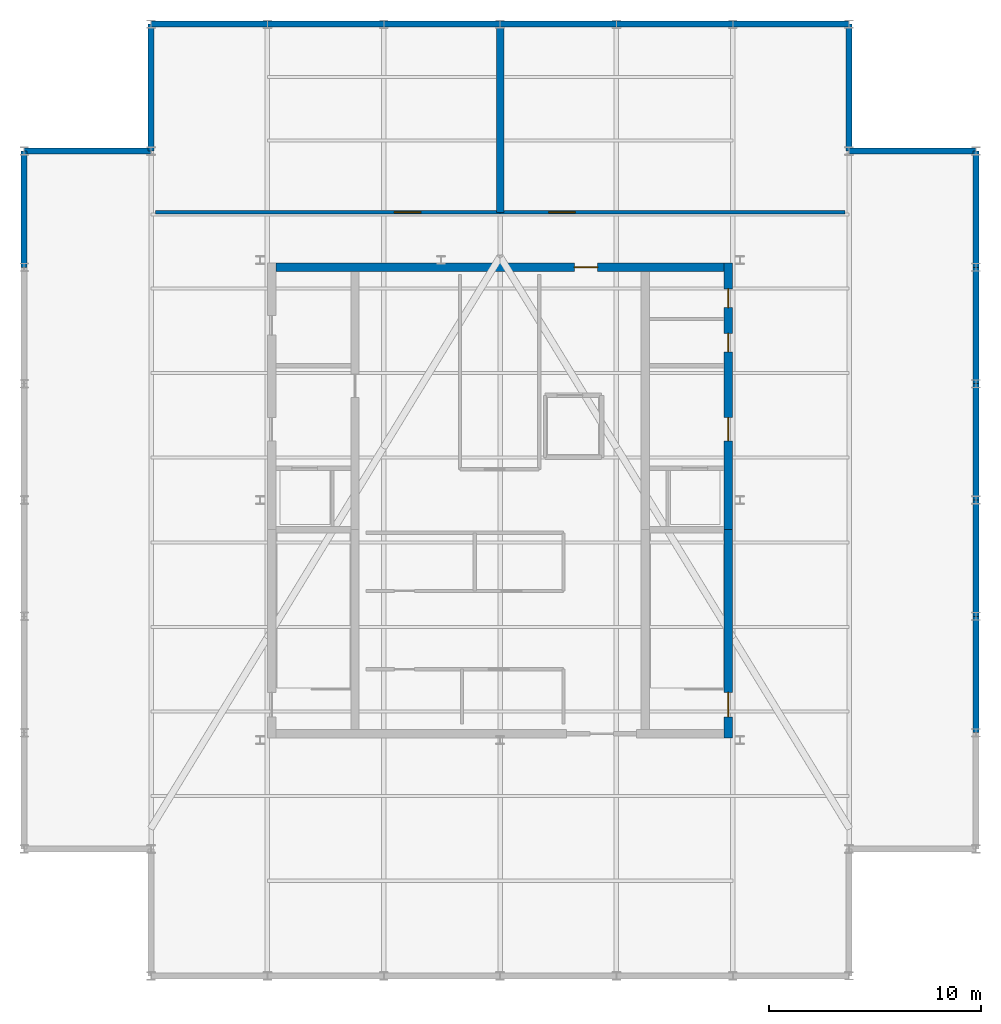
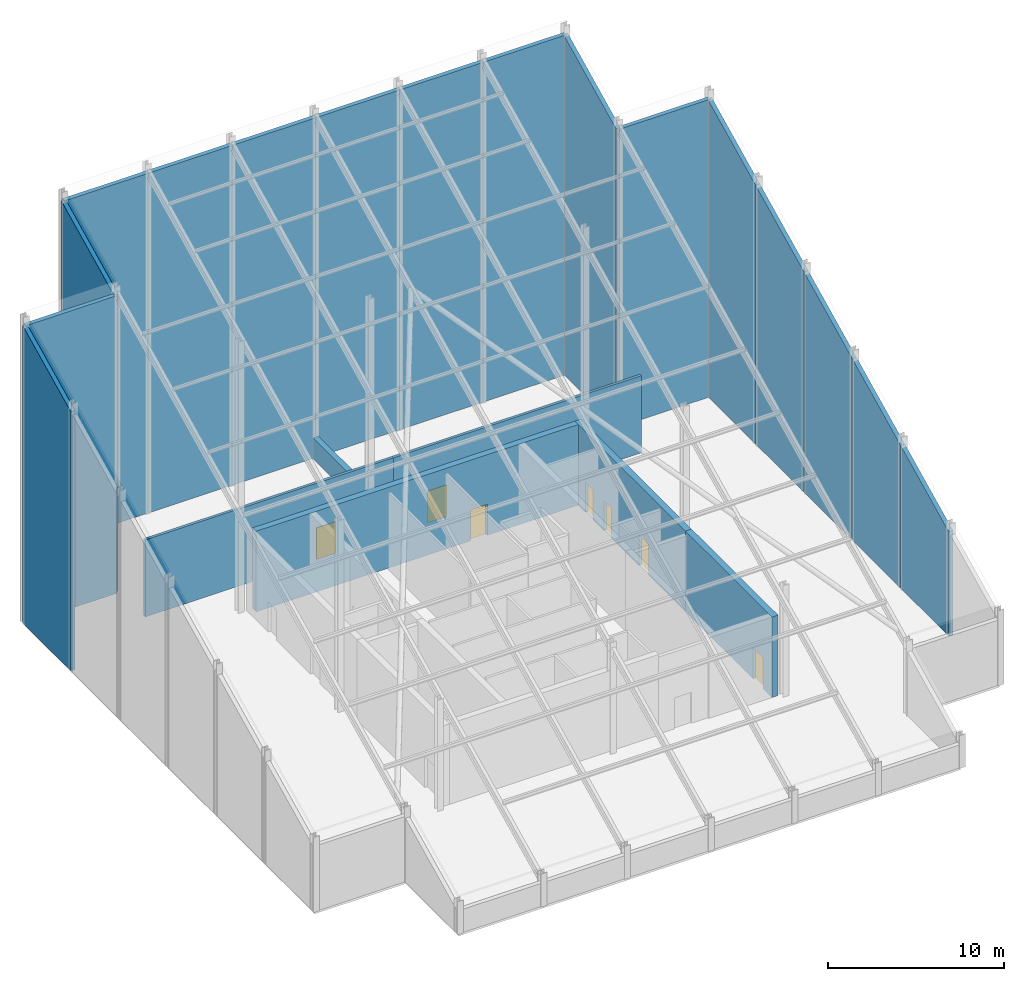
# One storey, part 3 of 4: 22 walls, 7 doors, 7 openings.
"""IFC4 building model written with IfcOpenShell, lengths in metres."""

from ifc_helpers import new_model, si_unit, direction, frame, frame_2d, origin, place, context, subcontext, project, spatial, polyline, rectangle, outline, extrude, material, layer, layer_set, type_object, element, fill, save


model = new_model("IFC4")

# Units and contexts
model_context = context("Model", 3, precision=1e-05, world=origin(), true_north=direction((0.0, 1.0)))
body_context = subcontext(model_context, "Body", "Model", "MODEL_VIEW")
ifc_project = project(units=[si_unit("LENGTHUNIT", "METRE"), si_unit("AREAUNIT", "SQUARE_METRE"), si_unit("VOLUMEUNIT", "CUBIC_METRE"), si_unit("PLANEANGLEUNIT", "RADIAN"), si_unit("MASSUNIT", "GRAM", prefix="KILO")], contexts=[model_context])

# Site, building, storey
site_placement = place(None, origin())
site = spatial("IfcSite", under=ifc_project, at=site_placement, CompositionType="ELEMENT")
building_placement = place(site_placement, origin())
building = spatial("IfcBuilding", under=site, at=building_placement, Name="Nhamokura Convention Tower", CompositionType="ELEMENT")
storey_placement = place(building_placement, frame((0.0, 0.0, 331.449951171875)))
storey = spatial("IfcBuildingStorey", under=building, at=storey_placement, Name="L81", CompositionType="ELEMENT", Elevation=331.449951171875)

# Walls
ifc_material_1 = material(Name="Bronze-pigmented precast concrete C45/55", Category="concrete")
ifc_layer_1 = layer(ifc_material_1, 0.280029296875)
ifc_layer_set_1 = layer_set([ifc_layer_1], Name="BronzePrecastSpandrel_280")
wall_type_1 = type_object("IfcWallType", Name="BronzePrecastSpandrel_280", PredefinedType="USERDEFINED", material=ifc_layer_set_1)
for number, where, z_axis, x_axis, name in (
    (1, (15.5, 54.5, 0.0), (0.0, 0.0, 1.0), (1.0, 0.0, 0.0), "L81 Crown Wall NORTH 0"),
    (2, (21.0, 54.5, 0.0), (0.0, 0.0, 1.0), (1.0, 0.0, 0.0), "L81 Crown Wall NORTH 1"),
    (3, (26.5, 54.5, 0.0), (0.0, 0.0, 1.0), (1.0, 0.0, 0.0), "L81 Crown Wall NORTH 2"),
    (4, (32.0, 54.5, 0.0), (0.0, 0.0, 1.0), (1.0, 0.0, 0.0), "L81 Crown Wall NORTH 3"),
    (5, (37.5, 54.5, 0.0), (0.0, 0.0, 1.0), (1.0, 0.0, 0.0), "L81 Crown Wall NORTH 4"),
    (6, (43.0, 54.5, 0.0), (0.0, 0.0, 1.0), (1.0, 0.0, 0.0), "L81 Crown Wall NORTH 5"),
):
    element("IfcWall", number, at=place(storey_placement, frame(where, z_axis=z_axis, x_axis=x_axis)), inside=storey, type_object=wall_type_1, Name=name, ObjectType="SPANDREL_WALL", PredefinedType="USERDEFINED", context=body_context, shape_type="SweptSolid", body=[
        extrude(rectangle(XDim=5.5, YDim=0.280029296875, at=frame_2d((2.75, 0.0))), origin(), (0.0, 0.0, 1.0), 23.610107421875),
    ])
wall_1_placement = place(storey_placement, frame((9.5, 43.0, 0.0), z_axis=(0.0, 0.0, 1.0), x_axis=(0.0, 1.0, 0.0)))
element("IfcWall", 7, at=wall_1_placement, inside=storey, type_object=wall_type_1, Name="L81 Slanted Crown Wall WEST 5", ObjectType="SPANDREL_WALL", PredefinedType="USERDEFINED", context=body_context, shape_type="SweptSolid", body=[
    extrude(outline(polyline([(0.0, 0.0), (5.5, 0.0), (5.5, 20.6767578125), (0.0, 17.98779296875), (0.0, 0.0)])), frame((0.0, 0.14013671875, 0.0), z_axis=(0.0, -1.0, 0.0), x_axis=(1.0, 0.0, 0.0)), (0.0, 0.0, 1.0), 0.280029296875),
])
wall_2_placement = place(storey_placement, frame((54.5, 26.5, 0.0), z_axis=(0.0, 0.0, 1.0), x_axis=(0.0, -1.0, 0.0)))
element("IfcWall", 8, at=wall_2_placement, inside=storey, type_object=wall_type_1, Name="L81 Slanted Crown Wall EAST 1", ObjectType="SPANDREL_WALL", PredefinedType="USERDEFINED", context=body_context, shape_type="SweptSolid", body=[
    extrude(outline(polyline([(0.0, 0.0), (5.5, 0.0), (5.5, 7.232177734375), (0.0, 9.921142578125), (0.0, 0.0)])), frame((0.0, 0.14013671875, 0.0), z_axis=(0.0, -1.0, 0.0), x_axis=(1.0, 0.0, 0.0)), (0.0, 0.0, 1.0), 0.280029296875),
])
wall_3_placement = place(storey_placement, frame((54.5, 32.0, 0.0), z_axis=(0.0, 0.0, 1.0), x_axis=(0.0, -1.0, 0.0)))
element("IfcWall", 9, at=wall_3_placement, inside=storey, type_object=wall_type_1, Name="L81 Slanted Crown Wall EAST 2", ObjectType="SPANDREL_WALL", PredefinedType="USERDEFINED", context=body_context, shape_type="SweptSolid", body=[
    extrude(outline(polyline([(0.0, 0.0), (5.5, 0.0), (5.5, 9.921142578125), (0.0, 12.610107421875), (0.0, 0.0)])), frame((0.0, 0.14013671875, 0.0), z_axis=(0.0, -1.0, 0.0), x_axis=(1.0, 0.0, 0.0)), (0.0, 0.0, 1.0), 0.280029296875),
])
wall_4_placement = place(storey_placement, frame((54.5, 37.5, 0.0), z_axis=(0.0, 0.0, 1.0), x_axis=(0.0, -1.0, 0.0)))
element("IfcWall", 10, at=wall_4_placement, inside=storey, type_object=wall_type_1, Name="L81 Slanted Crown Wall EAST 3", ObjectType="SPANDREL_WALL", PredefinedType="USERDEFINED", context=body_context, shape_type="SweptSolid", body=[
    extrude(outline(polyline([(0.0, 0.0), (5.5, 0.0), (5.5, 12.610107421875), (0.0, 15.298828125), (0.0, 0.0)])), frame((0.0, 0.14013671875, 0.0), z_axis=(0.0, -1.0, 0.0), x_axis=(1.0, 0.0, 0.0)), (0.0, 0.0, 1.0), 0.280029296875),
])
wall_5_placement = place(storey_placement, frame((54.5, 43.0, 0.0), z_axis=(0.0, 0.0, 1.0), x_axis=(0.0, -1.0, 0.0)))
element("IfcWall", 11, at=wall_5_placement, inside=storey, type_object=wall_type_1, Name="L81 Slanted Crown Wall EAST 4", ObjectType="SPANDREL_WALL", PredefinedType="USERDEFINED", context=body_context, shape_type="SweptSolid", body=[
    extrude(outline(polyline([(0.0, 0.0), (5.5, 0.0), (5.5, 15.298828125), (0.0, 17.98779296875), (0.0, 0.0)])), frame((0.0, 0.14013671875, 0.0), z_axis=(0.0, -1.0, 0.0), x_axis=(1.0, 0.0, 0.0)), (0.0, 0.0, 1.0), 0.280029296875),
])
wall_6_placement = place(storey_placement, frame((54.5, 48.5, 0.0), z_axis=(0.0, 0.0, 1.0), x_axis=(0.0, -1.0, 0.0)))
element("IfcWall", 12, at=wall_6_placement, inside=storey, type_object=wall_type_1, Name="L81 Slanted Crown Wall EAST 5", ObjectType="SPANDREL_WALL", PredefinedType="USERDEFINED", context=body_context, shape_type="SweptSolid", body=[
    extrude(outline(polyline([(0.0, 0.0), (5.5, 0.0), (5.5, 17.98779296875), (0.0, 20.6767578125), (0.0, 0.0)])), frame((0.0, 0.14013671875, 0.0), z_axis=(0.0, -1.0, 0.0), x_axis=(1.0, 0.0, 0.0)), (0.0, 0.0, 1.0), 0.280029296875),
])
wall_7_placement = place(storey_placement, frame((48.5, 48.5, 0.0), z_axis=(0.0, 0.0, 1.0), x_axis=(1.0, 0.0, 0.0)))
element("IfcWall", 13, at=wall_7_placement, inside=storey, type_object=wall_type_1, Name="L81 Crown Notch Wall NE1", ObjectType="SPANDREL_WALL", PredefinedType="USERDEFINED", context=body_context, shape_type="SweptSolid", body=[
    extrude(rectangle(XDim=6.0, YDim=0.280029296875, at=frame_2d((3.0, 0.0))), origin(), (0.0, 0.0, 1.0), 20.6767578125),
])
wall_8_placement = place(storey_placement, frame((48.5, 54.5, 0.0), z_axis=(0.0, 0.0, 1.0), x_axis=(0.0, -1.0, 0.0)))
element("IfcWall", 14, at=wall_8_placement, inside=storey, type_object=wall_type_1, Name="L81 Crown Notch Wall NE2", ObjectType="SPANDREL_WALL", PredefinedType="USERDEFINED", context=body_context, shape_type="SweptSolid", body=[
    extrude(outline(polyline([(0.0, 0.0), (6.0, 0.0), (6.0, 20.6767578125), (0.0, 23.610107421875), (0.0, 0.0)])), frame((0.0, 0.14013671875, 0.0), z_axis=(0.0, -1.0, 0.0), x_axis=(1.0, 0.0, 0.0)), (0.0, 0.0, 1.0), 0.280029296875),
])
wall_9_placement = place(storey_placement, frame((15.5, 48.5, 0.0), z_axis=(0.0, 0.0, 1.0), x_axis=(0.0, 1.0, 0.0)))
element("IfcWall", 15, at=wall_9_placement, inside=storey, type_object=wall_type_1, Name="L81 Crown Notch Wall NW1", ObjectType="SPANDREL_WALL", PredefinedType="USERDEFINED", context=body_context, shape_type="SweptSolid", body=[
    extrude(outline(polyline([(0.0, 0.0), (6.0, 0.0), (6.0, 23.610107421875), (0.0, 20.6767578125), (0.0, 0.0)])), frame((0.0, 0.14013671875, 0.0), z_axis=(0.0, -1.0, 0.0), x_axis=(1.0, 0.0, 0.0)), (0.0, 0.0, 1.0), 0.280029296875),
])
wall_10_placement = place(storey_placement, frame((9.5, 48.5, 0.0), z_axis=(0.0, 0.0, 1.0), x_axis=(1.0, 0.0, 0.0)))
element("IfcWall", 16, at=wall_10_placement, inside=storey, type_object=wall_type_1, Name="L81 Crown Notch Wall NW2", ObjectType="SPANDREL_WALL", PredefinedType="USERDEFINED", context=body_context, shape_type="SweptSolid", body=[
    extrude(rectangle(XDim=6.0, YDim=0.280029296875, at=frame_2d((3.0, 0.0))), origin(), (0.0, 0.0, 1.0), 20.6767578125),
])

# Wall, opening, door
ifc_material_2 = material(Name="Concrete C50/60", Category="concrete")
ifc_layer_2 = layer(ifc_material_2, 0.39990234375)
ifc_layer_set_2 = layer_set([ifc_layer_2], Name="CoreShearWall_400")
wall_type_2 = type_object("IfcWallType", Name="CoreShearWall_400", PredefinedType="SHEAR", material=ifc_layer_set_2)
wall_11_placement = place(storey_placement, frame((42.7900390625, 20.75, 0.0), z_axis=(0.0, 0.0, 1.0), x_axis=(0.0, 1.0, 0.0)))
wall_11 = element("IfcWall", 17, at=wall_11_placement, inside=storey, type_object=wall_type_2, Name="L81 Core Shear Wall CW-ES", PredefinedType="SHEAR", context=body_context, shape_type="SweptSolid", body=[
    extrude(rectangle(XDim=9.85009765625, YDim=0.39990234375, at=frame_2d((4.925048828125, 0.0))), origin(), (0.0, 0.0, 1.0), 5.60009765625),
])
opening_1_placement = place(wall_11_placement, frame((1.0, 0.0, 0.0)))
opening_1 = element("IfcOpeningElement", 18, at=opening_1_placement, cuts=wall_11, Name="Opening D-04", PredefinedType="OPENING", context=body_context, shape_type="SweptSolid", body=[
    extrude(rectangle(XDim=1.14990234375, YDim=2.14990234375, at=frame_2d((0.574951171875, 1.074951171875))), frame((0.0, 0.2099609375, 0.0), z_axis=(0.0, -1.0, 0.0), x_axis=(1.0, 0.0, 0.0)), (0.0, 0.0, 1.0), 0.419921875),
])
ifc_material_3 = material(Name="Fire-rated steel door", Category="steel")
door_type_1 = type_object("IfcDoorType", Name="StairSmokeDoor_1150", OperationType="NOTDEFINED", PredefinedType="DOOR", material=ifc_material_3)
door_1_placement = place(opening_1_placement, origin())
door_1 = element("IfcDoor", 19, at=door_1_placement, inside=storey, type_object=door_type_1, Name="L81 Core Door INT-L81-D-ST02", OperationType="SINGLE_SWING_RIGHT", OverallHeight=2.14990234375, OverallWidth=1.14990234375, PredefinedType="DOOR", context=body_context, shape_type="SweptSolid", body=[
    extrude(rectangle(XDim=1.14990234375, YDim=2.14990234375, at=frame_2d((0.574951171875, 1.074951171875))), frame((0.0, 0.02490234375, 0.0), z_axis=(0.0, -1.0, 0.0), x_axis=(1.0, 0.0, 0.0)), (0.0, 0.0, 1.0), 0.050048828125),
])
fill(opening_1, door_1)

# Wall, openings, doors
wall_12_placement = place(storey_placement, frame((42.7900390625, 30.60009765625, 0.0), z_axis=(0.0, 0.0, 1.0), x_axis=(0.0, 1.0, 0.0)))
wall_12 = element("IfcWall", 20, at=wall_12_placement, inside=storey, type_object=wall_type_2, Name="L81 Core Shear Wall CW-EN", PredefinedType="SHEAR", context=body_context, shape_type="SweptSolid", body=[
    extrude(rectangle(XDim=12.599853515625, YDim=0.39990234375, at=frame_2d((6.2998046875, 0.0))), origin(), (0.0, 0.0, 1.0), 5.60009765625),
])
opening_2_placement = place(wall_12_placement, frame((4.199951171875, 0.0, 0.0)))
opening_2 = element("IfcOpeningElement", 21, at=opening_2_placement, cuts=wall_12, Name="Opening D-05", PredefinedType="OPENING", context=body_context, shape_type="SweptSolid", body=[
    extrude(rectangle(XDim=1.10009765625, YDim=2.14990234375, at=frame_2d((0.550048828125, 1.074951171875))), frame((0.0, 0.2099609375, 0.0), z_axis=(0.0, -1.0, 0.0), x_axis=(1.0, 0.0, 0.0)), (0.0, 0.0, 1.0), 0.419921875),
])
opening_3_placement = place(wall_12_placement, frame((8.39990234375, 0.0, 0.0)))
opening_3 = element("IfcOpeningElement", 22, at=opening_3_placement, cuts=wall_12, Name="Opening D-11", PredefinedType="OPENING", context=body_context, shape_type="SweptSolid", body=[
    extrude(rectangle(XDim=0.8798828125, YDim=2.10009765625, at=frame_2d((0.43994140625, 1.050048828125))), frame((0.0, 0.2099609375, 0.0), z_axis=(0.0, -1.0, 0.0), x_axis=(1.0, 0.0, 0.0)), (0.0, 0.0, 1.0), 0.419921875),
])
opening_4_placement = place(wall_12_placement, frame((10.5, 0.0, 0.0)))
opening_4 = element("IfcOpeningElement", 23, at=opening_4_placement, cuts=wall_12, Name="Opening D-11", PredefinedType="OPENING", context=body_context, shape_type="SweptSolid", body=[
    extrude(rectangle(XDim=0.8798828125, YDim=2.10009765625, at=frame_2d((0.43994140625, 1.050048828125))), frame((0.0, 0.2099609375, 0.0), z_axis=(0.0, -1.0, 0.0), x_axis=(1.0, 0.0, 0.0)), (0.0, 0.0, 1.0), 0.419921875),
])
ifc_material_4 = material(Name="Solid oak hardwood", Category="wood")
door_type_2 = type_object("IfcDoorType", Name="BathroomDoor_880", OperationType="NOTDEFINED", PredefinedType="DOOR", material=ifc_material_4)
door_2_placement = place(opening_3_placement, origin())
door_2 = element("IfcDoor", 24, at=door_2_placement, inside=storey, type_object=door_type_2, Name="L81 Core Door INT-L81-D-MWC", OperationType="SINGLE_SWING_RIGHT", OverallHeight=2.10009765625, OverallWidth=0.8798828125, PredefinedType="DOOR", context=body_context, shape_type="SweptSolid", body=[
    extrude(rectangle(XDim=0.8798828125, YDim=2.10009765625, at=frame_2d((0.43994140625, 1.050048828125))), frame((0.0, 0.02490234375, 0.0), z_axis=(0.0, -1.0, 0.0), x_axis=(1.0, 0.0, 0.0)), (0.0, 0.0, 1.0), 0.050048828125),
])
fill(opening_3, door_2)
door_3_placement = place(opening_4_placement, origin())
door_3 = element("IfcDoor", 25, at=door_3_placement, inside=storey, type_object=door_type_2, Name="L81 Core Door INT-L81-D-FWC", OperationType="SINGLE_SWING_LEFT", OverallHeight=2.10009765625, OverallWidth=0.8798828125, PredefinedType="DOOR", context=body_context, shape_type="SweptSolid", body=[
    extrude(rectangle(XDim=0.8798828125, YDim=2.10009765625, at=frame_2d((0.43994140625, 1.050048828125))), frame((0.0, 0.02490234375, 0.0), z_axis=(0.0, -1.0, 0.0), x_axis=(1.0, 0.0, 0.0)), (0.0, 0.0, 1.0), 0.050048828125),
])
fill(opening_4, door_3)
ifc_material_5 = material(Name="Fire-rated steel door", Category="steel")
door_type_3 = type_object("IfcDoorType", Name="FireLobbyDoor_1100", OperationType="NOTDEFINED", PredefinedType="DOOR", material=ifc_material_5)
door_4_placement = place(opening_2_placement, origin())
door_4 = element("IfcDoor", 26, at=door_4_placement, inside=storey, type_object=door_type_3, Name="L81 Core Door INT-L81-D-FFLE", OperationType="SINGLE_SWING_LEFT", OverallHeight=2.14990234375, OverallWidth=1.10009765625, PredefinedType="DOOR", context=body_context, shape_type="SweptSolid", body=[
    extrude(rectangle(XDim=1.10009765625, YDim=2.14990234375, at=frame_2d((0.550048828125, 1.074951171875))), frame((0.0, 0.02490234375, 0.0), z_axis=(0.0, -1.0, 0.0), x_axis=(1.0, 0.0, 0.0)), (0.0, 0.0, 1.0), 0.050048828125),
])
fill(opening_2, door_4)

# Wall, opening, door
wall_13_placement = place(storey_placement, frame((21.409912109375, 43.0, 0.0), z_axis=(0.0, 0.0, 1.0), x_axis=(1.0, 0.0, 0.0)))
wall_13 = element("IfcWall", 27, at=wall_13_placement, inside=storey, type_object=wall_type_2, Name="L81 Core Shear Wall CW-N1", PredefinedType="SHEAR", context=body_context, shape_type="SweptSolid", body=[
    extrude(rectangle(XDim=21.18017578125, YDim=0.39990234375, at=frame_2d((10.590087890625, 0.0))), origin(), (0.0, 0.0, 1.0), 5.60009765625),
])
opening_5_placement = place(wall_13_placement, frame((14.10009765625, 0.0, 0.0)))
opening_5 = element("IfcOpeningElement", 28, at=opening_5_placement, cuts=wall_13, Name="Opening D-05", PredefinedType="OPENING", context=body_context, shape_type="SweptSolid", body=[
    extrude(rectangle(XDim=1.10009765625, YDim=2.14990234375, at=frame_2d((0.550048828125, 1.074951171875))), frame((0.0, 0.2099609375, 0.0), z_axis=(0.0, -1.0, 0.0), x_axis=(1.0, 0.0, 0.0)), (0.0, 0.0, 1.0), 0.419921875),
])
door_5_placement = place(opening_5_placement, origin())
door_5 = element("IfcDoor", 29, at=door_5_placement, inside=storey, type_object=door_type_3, Name="L81 Core Door INT-L81-D-CPORT", OperationType="SINGLE_SWING_RIGHT", OverallHeight=2.14990234375, OverallWidth=1.10009765625, PredefinedType="DOOR", context=body_context, shape_type="SweptSolid", body=[
    extrude(rectangle(XDim=1.10009765625, YDim=2.14990234375, at=frame_2d((0.550048828125, 1.074951171875))), frame((0.0, 0.02490234375, 0.0), z_axis=(0.0, -1.0, 0.0), x_axis=(1.0, 0.0, 0.0)), (0.0, 0.0, 1.0), 0.050048828125),
])
fill(opening_5, door_5)

ifc_material_6 = material(Name="Fire-rated gypsum and masonry partition", Category="masonry")
ifc_layer_3 = layer(ifc_material_6, 0.179931640625)
ifc_layer_set_3 = layer_set([ifc_layer_3], Name="CorridorRatedWall_180")
wall_type_3 = type_object("IfcWallType", Name="CorridorRatedWall_180", PredefinedType="STANDARD", material=ifc_layer_set_3)
wall_14_placement = place(storey_placement, frame((15.699951171875, 45.60009765625, 0.0), z_axis=(0.0, 0.0, 1.0), x_axis=(1.0, 0.0, 0.0)))
wall_14 = element("IfcWall", 30, at=wall_14_placement, inside=storey, type_object=wall_type_3, Name="L81 Wall INT-L81-CW-N00", PredefinedType="STANDARD", context=body_context, shape_type="SweptSolid", body=[
    extrude(rectangle(XDim=16.300048828125, YDim=0.179931640625, at=frame_2d((8.14990234375, 0.0))), origin(), (0.0, 0.0, 1.0), 5.35009765625),
])
opening_6_placement = place(wall_14_placement, frame((11.300048828125, 0.0, 0.0)))
opening_6 = element("IfcOpeningElement", 31, at=opening_6_placement, cuts=wall_14, Name="Opening D-12", PredefinedType="OPENING", context=body_context, shape_type="SweptSolid", body=[
    extrude(rectangle(XDim=1.25, YDim=2.199951171875, at=frame_2d((0.625, 1.10009765625))), frame((0.0, 0.099853515625, 0.0), z_axis=(0.0, -1.0, 0.0), x_axis=(1.0, 0.0, 0.0)), (0.0, 0.0, 1.0), 0.199951171875),
])
ifc_material_7 = material(Name="Fire-rated steel door", Category="steel")
door_type_4 = type_object("IfcDoorType", Name="PlantServiceDoor_1250", OperationType="NOTDEFINED", PredefinedType="DOOR", material=ifc_material_7)
door_6_placement = place(opening_6_placement, origin())
door_6 = element("IfcDoor", 32, at=door_6_placement, inside=storey, type_object=door_type_4, Name="L81 Crown Elevator Machine Room N01 Door", OperationType="SINGLE_SWING_LEFT", OverallHeight=2.199951171875, OverallWidth=1.25, PredefinedType="DOOR", context=body_context, shape_type="SweptSolid", body=[
    extrude(rectangle(XDim=1.25, YDim=2.199951171875, at=frame_2d((0.625, 1.10009765625))), frame((0.0, 0.02490234375, 0.0), z_axis=(0.0, -1.0, 0.0), x_axis=(1.0, 0.0, 0.0)), (0.0, 0.0, 1.0), 0.050048828125),
])
fill(opening_6, door_6)

wall_15_placement = place(storey_placement, frame((32.0, 45.60009765625, 0.0), z_axis=(0.0, 0.0, 1.0), x_axis=(1.0, 0.0, 0.0)))
wall_15 = element("IfcWall", 33, at=wall_15_placement, inside=storey, type_object=wall_type_3, Name="L81 Wall INT-L81-CW-N01", PredefinedType="STANDARD", context=body_context, shape_type="SweptSolid", body=[
    extrude(rectangle(XDim=16.300048828125, YDim=0.179931640625, at=frame_2d((8.14990234375, 0.0))), origin(), (0.0, 0.0, 1.0), 5.35009765625),
])
opening_7_placement = place(wall_15_placement, frame((2.300048828125, 0.0, 0.0)))
opening_7 = element("IfcOpeningElement", 34, at=opening_7_placement, cuts=wall_15, Name="Opening D-12", PredefinedType="OPENING", context=body_context, shape_type="SweptSolid", body=[
    extrude(rectangle(XDim=1.25, YDim=2.199951171875, at=frame_2d((0.625, 1.10009765625))), frame((0.0, 0.099853515625, 0.0), z_axis=(0.0, -1.0, 0.0), x_axis=(1.0, 0.0, 0.0)), (0.0, 0.0, 1.0), 0.199951171875),
])
door_7_placement = place(opening_7_placement, origin())
door_7 = element("IfcDoor", 35, at=door_7_placement, inside=storey, type_object=door_type_4, Name="L81 Heat-Recovery AHU Plant N02 Door", OperationType="SINGLE_SWING_RIGHT", OverallHeight=2.199951171875, OverallWidth=1.25, PredefinedType="DOOR", context=body_context, shape_type="SweptSolid", body=[
    extrude(rectangle(XDim=1.25, YDim=2.199951171875, at=frame_2d((0.625, 1.10009765625))), frame((0.0, 0.02490234375, 0.0), z_axis=(0.0, -1.0, 0.0), x_axis=(1.0, 0.0, 0.0)), (0.0, 0.0, 1.0), 0.050048828125),
])
fill(opening_7, door_7)

# Wall
ifc_material_8 = material(Name="Concrete C50/60", Category="concrete")
ifc_layer_4 = layer(ifc_material_8, 0.35009765625)
ifc_layer_set_4 = layer_set([ifc_layer_4], Name="FirewallPlant_350")
wall_type_4 = type_object("IfcWallType", Name="FirewallPlant_350", PredefinedType="STANDARD", material=ifc_layer_set_4)
wall_16_placement = place(storey_placement, frame((32.0, 45.60009765625, 0.0), z_axis=(0.0, 0.0, 1.0), x_axis=(0.0, 1.0, 0.0)))
element("IfcWall", 36, at=wall_16_placement, inside=storey, type_object=wall_type_4, Name="L81 Wall INT-L81-RW-N01", PredefinedType="STANDARD", context=body_context, shape_type="SweptSolid", body=[
    extrude(rectangle(XDim=8.739990234375, YDim=0.35009765625, at=frame_2d((4.3701171875, 0.0))), origin(), (0.0, 0.0, 1.0), 1.450927734375),
])

save(model, "model.ifc")
